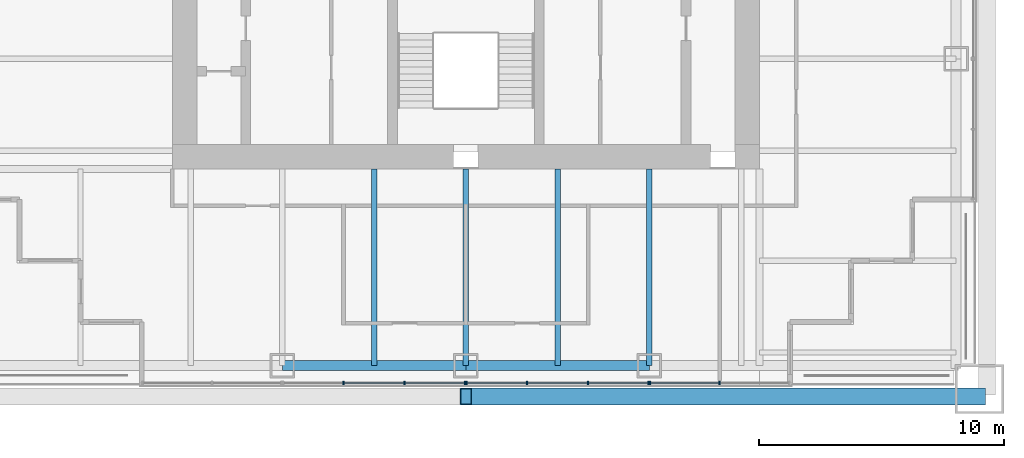
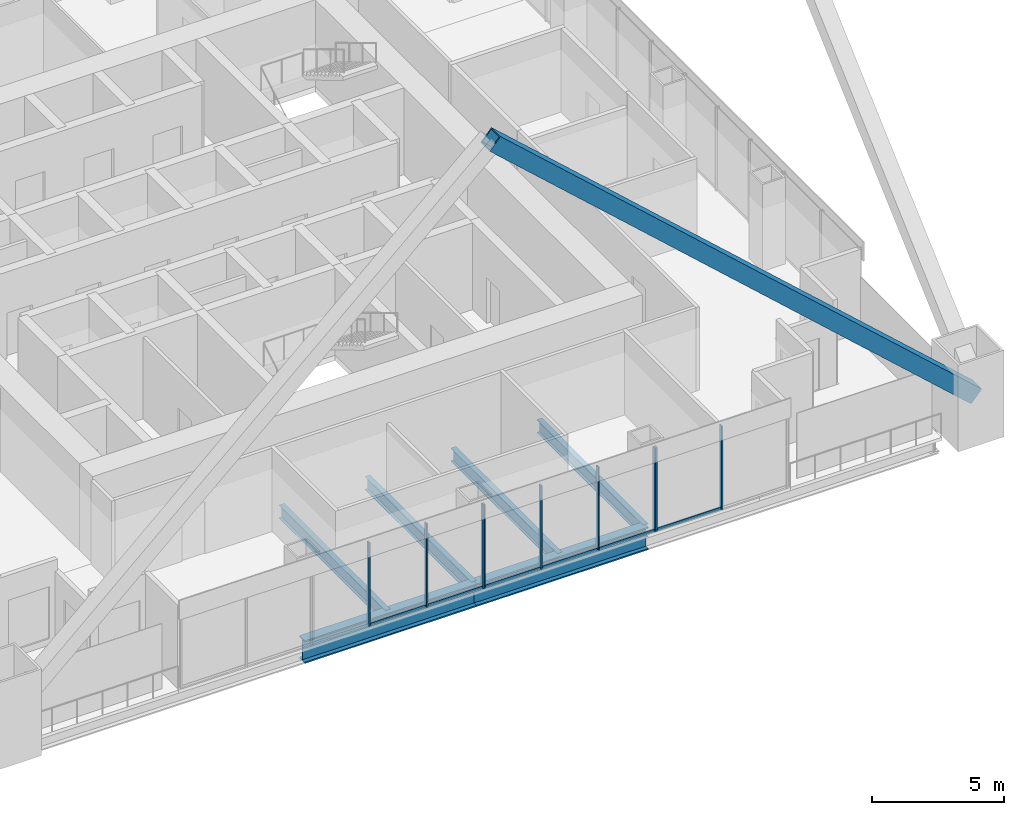
# One storey, part 4 of 18: 16 members, 6 beams, 3 elements without a shape of their own.
"""IFC4 building model written with IfcOpenShell, lengths in metres."""

import ifcopenshell
import ifcopenshell.guid

model = None  # the IFC model being written
_history = None  # IfcOwnerHistory: only IFC2X3 demands one
_inside = {}  # id of a spatial element -> (the spatial element, [elements in it])
_under = {}  # id of a project, library or spatial element -> (it, [spatial elements below it])
_declared = {}  # id of a project -> (the project, [libraries it declares])
_typed = {}  # id of a type object -> (the type object, [elements of that type])
_made_of = {}  # id of a material, layer set ... -> (it, [elements and type objects made of it])


def new_model(schema):
    """Start an empty IFC model of exactly this schema.

    Asked for "IFC4X3", IfcOpenShell would pick the latest addendum, in which some entities
    have other attributes; the version numbers below select the first issue.
    IFC2X3 requires an IfcOwnerHistory on every rooted entity: one is made here for all.
    """
    global model, _history
    if schema == "IFC4X3":
        model = ifcopenshell.file(schema_version=(4, 3, 0, 0))
    else:
        model = ifcopenshell.file(schema=schema)
    _inside.clear()
    _under.clear()
    _declared.clear()
    _typed.clear()
    _made_of.clear()
    _history = None
    if model.schema == "IFC2X3":
        org = make("IfcOrganization", Name="unknown")
        user = make(
            "IfcPersonAndOrganization",
            ThePerson=make("IfcPerson", FamilyName="unknown"),
            TheOrganization=org,
        )
        app = make(
            "IfcApplication",
            ApplicationDeveloper=org,
            Version="unknown",
            ApplicationFullName="unknown",
            ApplicationIdentifier="unknown",
        )
        _history = make(
            "IfcOwnerHistory",
            OwningUser=user,
            OwningApplication=app,
            ChangeAction="ADDED",
            CreationDate=0,
        )
    return model


def make(cls, **values):
    """One entity of the class cls with the attributes given. An attribute that is None is left unset."""
    return model.create_entity(
        cls, **{name: value for name, value in values.items() if value is not None}
    )


def rooted(cls, **values):
    """An entity with a GlobalId (a new one), such as an element, a storey or a relation."""
    return make(cls, GlobalId=ifcopenshell.guid.new(), OwnerHistory=_history, **values)


def si_unit(unit_type, name, prefix=None):
    """IfcSIUnit, for example si_unit("LENGTHUNIT", "METRE", prefix="MILLI")."""
    return make("IfcSIUnit", UnitType=unit_type, Prefix=prefix, Name=name)


def assignment(units):
    """IfcUnitAssignment: the units of a project."""
    return None if units is None else make("IfcUnitAssignment", Units=units)


def point(xyz):
    """IfcCartesianPoint."""
    return None if xyz is None else make("IfcCartesianPoint", Coordinates=xyz)


def direction(xyz):
    """IfcDirection."""
    return None if xyz is None else make("IfcDirection", DirectionRatios=xyz)


def frame(location, z_axis=None, x_axis=None):
    """IfcAxis2Placement3D, a coordinate frame: its origin and axes. An axis left out is left unset."""
    return make(
        "IfcAxis2Placement3D",
        Location=point(location),
        Axis=direction(z_axis),
        RefDirection=direction(x_axis),
    )


def frame_2d(location, x_axis=None):
    """IfcAxis2Placement2D, a coordinate frame in the plane: its origin and x axis."""
    return make(
        "IfcAxis2Placement2D", Location=point(location), RefDirection=direction(x_axis)
    )


def origin():
    """The frame at (0, 0, 0) with its axes left unset."""
    return frame((0.0, 0.0, 0.0))


def origin_2d():
    """The frame at (0, 0) in the plane with its x axis left unset."""
    return frame_2d((0.0, 0.0))


def place(relative_to, where):
    """IfcLocalPlacement: puts the frame where relative to a parent placement (None: the world)."""
    return make(
        "IfcLocalPlacement", PlacementRelTo=relative_to, RelativePlacement=where
    )


def context(
    kind, dimensions, precision=None, world=None, true_north=None, identifier=None
):
    """IfcGeometricRepresentationContext, for example the 3D "Model" context."""
    return make(
        "IfcGeometricRepresentationContext",
        ContextIdentifier=identifier,
        ContextType=kind,
        CoordinateSpaceDimension=dimensions,
        Precision=precision,
        WorldCoordinateSystem=world,
        TrueNorth=true_north,
    )


def subcontext(parent, identifier, kind, view, scale=None):
    """IfcGeometricRepresentationSubContext, for example "Body" below "Model"."""
    return make(
        "IfcGeometricRepresentationSubContext",
        ContextIdentifier=identifier,
        ContextType=kind,
        ParentContext=parent,
        TargetScale=scale,
        TargetView=view,
    )


def project(units=None, contexts=None):
    """IfcProject with its units and contexts."""
    return rooted(
        "IfcProject",
        Name="project",
        RepresentationContexts=contexts,
        UnitsInContext=assignment(units),
    )


def spatial(cls, under=None, at=None, **own):
    """A site, building, storey or space (cls), placed at a placement, below another one or the project."""
    s = rooted(cls, ObjectPlacement=at, **own)
    if under is not None:
        _under.setdefault(under.id(), (under, []))[1].append(s)
    return s


def profile(cls, at=None, kind="AREA", **sizes):
    """A parametric profile (cls). Its sizes go by their IFC names, for example OverallWidth=200.0."""
    return make(cls, ProfileType=kind, Position=at, **sizes)


def rectangle(**sizes):
    """IfcRectangleProfileDef."""
    return profile("IfcRectangleProfileDef", **sizes)


def hollow_rectangle(**sizes):
    """IfcRectangleHollowProfileDef."""
    return profile("IfcRectangleHollowProfileDef", **sizes)


def i_section(**sizes):
    """IfcIShapeProfileDef."""
    return profile("IfcIShapeProfileDef", **sizes)


def extrude(swept, where, along, depth):
    """IfcExtrudedAreaSolid: the profile swept, set in the frame where, extruded along a direction by depth."""
    return make(
        "IfcExtrudedAreaSolid",
        SweptArea=swept,
        Position=where,
        ExtrudedDirection=direction(along),
        Depth=depth,
    )


def shape(context_of_items, identifier, shape_type, items):
    """IfcShapeRepresentation: the items that make up one representation, for example the "Body"."""
    return make(
        "IfcShapeRepresentation",
        ContextOfItems=context_of_items,
        RepresentationIdentifier=identifier,
        RepresentationType=shape_type,
        Items=items,
    )


def material(Name=None, Category=None):
    """IfcMaterial."""
    return make("IfcMaterial", Name=Name, Category=Category)


def material_profile(
    of_material, cross_section, Name=None, Category=None, Priority=None
):
    """IfcMaterialProfile: a cross section and its material."""
    return make(
        "IfcMaterialProfile",
        Name=Name,
        Material=of_material,
        Profile=cross_section,
        Priority=Priority,
        Category=Category,
    )


def profile_set(profiles, Name=None, composite=None):
    """IfcMaterialProfileSet."""
    return make(
        "IfcMaterialProfileSet",
        Name=Name,
        MaterialProfiles=profiles,
        CompositeProfile=composite,
    )


def made_of(thing, what):
    """Note that an element or type object is made of a material, layer set ...; save() writes the relation."""
    if what is not None:
        _made_of.setdefault(what.id(), (what, []))[1].append(thing)
    return thing


def type_object(cls, material=None, **own):
    """A type object (cls), such as IfcWallType, which elements share."""
    return made_of(rooted(cls, **own), material)


def element(
    cls,
    number,
    at=None,
    inside=None,
    cuts=None,
    type_object=None,
    material=None,
    context=None,
    identifier="Body",
    shape_type=None,
    held_by="IfcProductDefinitionShape",
    body=None,
    shapes=None,
    **own,
):
    """One element of the class cls, such as IfcWall. Its Tag is "e" and its number.

    at: its placement. inside: the storey or other place that contains it. cuts: it is an
    opening in that element (IfcRelVoidsElement). A single representation is given by context,
    identifier, shape_type and body (its items); several are given by shapes. held_by: the class
    of the entity that holds the representations. save() writes the other relations.
    """
    e = rooted(cls, Tag="e%d" % number, ObjectPlacement=at, **own)
    if body is not None:
        shapes = [shape(context, identifier, shape_type, body)]
    if shapes is not None:
        e.Representation = make(held_by, Representations=shapes)
    if inside is not None:
        _inside.setdefault(inside.id(), (inside, []))[1].append(e)
    if cuts is not None:
        rooted(
            "IfcRelVoidsElement", RelatingBuildingElement=cuts, RelatedOpeningElement=e
        )
    if type_object is not None:
        _typed.setdefault(type_object.id(), (type_object, []))[1].append(e)
    return made_of(e, material)


def aggregate(whole, parts):
    """IfcRelAggregates: a whole, such as a stair, and the parts it consists of."""
    return rooted("IfcRelAggregates", RelatingObject=whole, RelatedObjects=parts)


def save(model, path):
    """Write the relations noted so far, then the file.

    IfcRelAggregates (storeys below a building ...), IfcRelContainedInSpatialStructure (elements
    in a storey), IfcRelDefinesByType, IfcRelAssociatesMaterial and IfcRelDeclares: one each for
    every whole, place, type object, material and project.
    """
    for whole, parts in _under.values():
        aggregate(whole, parts)
    for where, things in _inside.values():
        rooted(
            "IfcRelContainedInSpatialStructure",
            RelatedElements=things,
            RelatingStructure=where,
        )
    for kind, things in _typed.values():
        rooted("IfcRelDefinesByType", RelatedObjects=things, RelatingType=kind)
    for what, things in _made_of.values():
        rooted("IfcRelAssociatesMaterial", RelatedObjects=things, RelatingMaterial=what)
    for by, libraries in _declared.values():
        rooted("IfcRelDeclares", RelatingContext=by, RelatedDefinitions=libraries)
    model.write(path)


model = new_model("IFC4")

# Units and contexts
model_context = context("Model", 3, precision=1e-05, world=origin(), true_north=direction((0.0, 1.0)))
body_context = subcontext(model_context, "Body", "Model", "MODEL_VIEW")
ifc_project = project(units=[si_unit("LENGTHUNIT", "METRE"), si_unit("AREAUNIT", "SQUARE_METRE"), si_unit("VOLUMEUNIT", "CUBIC_METRE"), si_unit("PLANEANGLEUNIT", "RADIAN"), si_unit("MASSUNIT", "GRAM", prefix="KILO")], contexts=[model_context])

# Site, building, storey
site_placement = place(None, origin())
site = spatial("IfcSite", under=ifc_project, at=site_placement, CompositionType="ELEMENT")
building_placement = place(site_placement, origin())
building = spatial("IfcBuilding", under=site, at=building_placement, Name="Tarangal Relay Tower", CompositionType="ELEMENT")
storey_placement = place(building_placement, frame((0.0, 0.0, 295.89990234375)))
storey = spatial("IfcBuildingStorey", under=building, at=storey_placement, Name="L65", CompositionType="ELEMENT", Elevation=295.89990234375)

# Beams
ifc_material_1 = material(Name="Steel ASTM A992", Category="steel")
ifc_material_profile_1 = material_profile(ifc_material_1, i_section(OverallWidth=0.41162109375, OverallDepth=1.049072265625, WebThickness=0.033935546875, FlangeThickness=0.059814453125, at=origin_2d()), Name="W40X431")
ifc_profile_set_1 = profile_set([ifc_material_profile_1], Name="Steel ASTM A992")
beam_type_1 = type_object("IfcBeamType", Name="Edge girder W40X431", PredefinedType="SPANDREL", material=ifc_profile_set_1)
for number, where, z_axis, x_axis, name in (
    (1, (7.5, -20.0400390625, -0.67431640625), (-1.0, 0.0, 0.0), (0.0, -1.0, 0.0), "Edge girder EG1 S L65"),
    (2, (0.0, -20.0400390625, -0.67431640625), (-1.0, 0.0, 0.0), (0.0, -1.0, 0.0), "Edge girder EG1 S L65"),
):
    element("IfcBeam", number, at=place(storey_placement, frame(where, z_axis=z_axis, x_axis=x_axis)), inside=storey, type_object=beam_type_1, Name=name, PredefinedType="SPANDREL", context=body_context, shape_type="SweptSolid", body=[
        extrude(i_section(OverallWidth=0.41162109375, OverallDepth=1.049072265625, WebThickness=0.033935546875, FlangeThickness=0.059814453125, at=origin_2d()), origin(), (0.0, 0.0, 1.0), 7.5),
    ])
ifc_material_profile_2 = material_profile(ifc_material_1, i_section(OverallWidth=0.228271484375, OverallDepth=0.607177734375, WebThickness=0.01123046875, FlangeThickness=0.017333984375, at=origin_2d()), Name="W24X76")
ifc_profile_set_2 = profile_set([ifc_material_profile_2], Name="Steel ASTM A992")
beam_type_2 = type_object("IfcBeamType", Name="Floor beam W24X76", PredefinedType="BEAM", material=ifc_profile_set_2)
for number, where, z_axis, x_axis, name in (
    (3, (7.5, -12.0, -0.453369140625), (0.0, -1.0, 0.0), (1.0, 0.0, 0.0), "Floor beam RB5 S L65"),
    (4, (3.75, -12.0, -0.453369140625), (0.0, -1.0, 0.0), (1.0, 0.0, 0.0), "Floor beam RB5 S L65"),
    (5, (0.0, -12.0, -0.453369140625), (0.0, -1.0, 0.0), (1.0, 0.0, 0.0), "Floor beam RB5 S L65"),
    (6, (-3.75, -12.0, -0.453369140625), (0.0, -1.0, 0.0), (1.0, 0.0, 0.0), "Floor beam RB5 S L65"),
):
    element("IfcBeam", number, at=place(storey_placement, frame(where, z_axis=z_axis, x_axis=x_axis)), inside=storey, type_object=beam_type_2, Name=name, PredefinedType="BEAM", context=body_context, shape_type="SweptSolid", body=[
        extrude(i_section(OverallWidth=0.228271484375, OverallDepth=0.607177734375, WebThickness=0.01123046875, FlangeThickness=0.017333984375, at=origin_2d()), origin(), (0.0, 0.0, 1.0), 8.0400390625),
    ])

# Member
ifc_material_2 = material(Name="Steel ASTM A572 Grade 50", Category="steel")
ifc_material_profile_3 = material_profile(ifc_material_2, hollow_rectangle(XDim=0.699951171875, YDim=0.699951171875, WallThickness=0.052001953125, at=origin_2d()), Name="BOX700X700X52")
ifc_profile_set_3 = profile_set([ifc_material_profile_3], Name="Steel ASTM A572 Grade 50")
member_type_1 = type_object("IfcMemberType", Name="Mega brace BOX700X700X52", PredefinedType="BRACE", material=ifc_profile_set_3)
member_1_placement = place(storey_placement, frame((21.0, -21.300048828125, 2.0), z_axis=(-0.741535779124, 0.0, 0.670913323969), x_axis=(0.0, -1.0, 0.0)))
element("IfcMember", 7, at=member_1_placement, inside=storey, type_object=member_type_1, Name="Mega brace MB4 S face module 2", PredefinedType="BRACE", context=body_context, shape_type="SweptSolid", body=[
    extrude(hollow_rectangle(XDim=0.699951171875, YDim=0.699951171875, WallThickness=0.052001953125, at=origin_2d()), origin(), (0.0, 0.0, 1.0), 28.319580078125),
])

# Curtain wall, members
ifc_material_3 = material(Name="Unitised curtain wall, dark glass and black aluminium", Category="aluminium")
curtain_wall_type = type_object("IfcCurtainWallType", Name="Curtain wall CW-B", PredefinedType="USERDEFINED", material=ifc_material_3)
curtain_wall_1_placement = place(storey_placement, origin())
curtain_wall_1 = element("IfcCurtainWall", 8, at=curtain_wall_1_placement, inside=storey, type_object=curtain_wall_type, Name="Curtain wall CW-B S facade L65", ObjectType="UNITISED CURTAIN WALL", PredefinedType="USERDEFINED")
ifc_material_4 = material(Name="Black anodised aluminium mullion", Category="aluminium")
ifc_material_profile_4 = material_profile(ifc_material_4, rectangle(XDim=0.159912109375, YDim=0.06005859375, at=origin_2d()), Name="CW-BM 60X160")
ifc_profile_set_4 = profile_set([ifc_material_profile_4], Name="Black anodised aluminium mullion")
member_type_2 = type_object("IfcMemberType", Name="Mullion CW-B 60 x 160", PredefinedType="MULLION", material=ifc_profile_set_4)
member_2_placement = place(storey_placement, frame((10.375, -20.75, 0.0), z_axis=(0.0, 0.0, 1.0), x_axis=(0.0, -1.0, 0.0)))
member_2 = element("IfcMember", 9, at=member_2_placement, type_object=member_type_2, Name="CW-B mullion 2", PredefinedType="MULLION", context=body_context, shape_type="SweptSolid", body=[
    extrude(rectangle(XDim=0.159912109375, YDim=0.06005859375, at=origin_2d()), origin(), (0.0, 0.0, 1.0), 3.85009765625),
])
member_3_placement = place(storey_placement, frame((7.530029296875, -20.75, 0.0), z_axis=(0.0, 0.0, 1.0), x_axis=(0.0, -1.0, 0.0)))
member_3 = element("IfcMember", 10, at=member_3_placement, type_object=member_type_2, Name="CW-B mullion 3", PredefinedType="MULLION", context=body_context, shape_type="SweptSolid", body=[
    extrude(rectangle(XDim=0.159912109375, YDim=0.06005859375, at=origin_2d()), origin(), (0.0, 0.0, 1.0), 3.85009765625),
])

curtain_wall_2_placement = place(storey_placement, origin())
curtain_wall_2 = element("IfcCurtainWall", 11, at=curtain_wall_2_placement, inside=storey, type_object=curtain_wall_type, Name="Curtain wall CW-B S facade L65", ObjectType="UNITISED CURTAIN WALL", PredefinedType="USERDEFINED")
member_4_placement = place(storey_placement, frame((7.469970703125, -20.75, 0.0), z_axis=(0.0, 0.0, 1.0), x_axis=(0.0, -1.0, 0.0)))
member_4 = element("IfcMember", 12, at=member_4_placement, type_object=member_type_2, Name="CW-B mullion 1", PredefinedType="MULLION", context=body_context, shape_type="SweptSolid", body=[
    extrude(rectangle(XDim=0.159912109375, YDim=0.06005859375, at=origin_2d()), origin(), (0.0, 0.0, 1.0), 3.85009765625),
])
member_5_placement = place(storey_placement, frame((5.0, -20.75, 0.0), z_axis=(0.0, 0.0, 1.0), x_axis=(0.0, -1.0, 0.0)))
member_5 = element("IfcMember", 13, at=member_5_placement, type_object=member_type_2, Name="CW-B mullion 2", PredefinedType="MULLION", context=body_context, shape_type="SweptSolid", body=[
    extrude(rectangle(XDim=0.159912109375, YDim=0.06005859375, at=origin_2d()), origin(), (0.0, 0.0, 1.0), 3.85009765625),
])
member_6_placement = place(storey_placement, frame((2.5, -20.75, 0.0), z_axis=(0.0, 0.0, 1.0), x_axis=(0.0, -1.0, 0.0)))
member_6 = element("IfcMember", 14, at=member_6_placement, type_object=member_type_2, Name="CW-B mullion 3", PredefinedType="MULLION", context=body_context, shape_type="SweptSolid", body=[
    extrude(rectangle(XDim=0.159912109375, YDim=0.06005859375, at=origin_2d()), origin(), (0.0, 0.0, 1.0), 3.85009765625),
])
member_7_placement = place(storey_placement, frame((0.030029296875, -20.75, 0.0), z_axis=(0.0, 0.0, 1.0), x_axis=(0.0, -1.0, 0.0)))
member_7 = element("IfcMember", 15, at=member_7_placement, type_object=member_type_2, Name="CW-B mullion 4", PredefinedType="MULLION", context=body_context, shape_type="SweptSolid", body=[
    extrude(rectangle(XDim=0.159912109375, YDim=0.06005859375, at=origin_2d()), origin(), (0.0, 0.0, 1.0), 3.85009765625),
])

curtain_wall_3_placement = place(storey_placement, origin())
curtain_wall_3 = element("IfcCurtainWall", 16, at=curtain_wall_3_placement, inside=storey, type_object=curtain_wall_type, Name="Curtain wall CW-B S facade L65", ObjectType="UNITISED CURTAIN WALL", PredefinedType="USERDEFINED")
member_8_placement = place(storey_placement, frame((-0.030029296875, -20.75, 0.0), z_axis=(0.0, 0.0, 1.0), x_axis=(0.0, -1.0, 0.0)))
member_8 = element("IfcMember", 17, at=member_8_placement, type_object=member_type_2, Name="CW-B mullion 1", PredefinedType="MULLION", context=body_context, shape_type="SweptSolid", body=[
    extrude(rectangle(XDim=0.159912109375, YDim=0.06005859375, at=origin_2d()), origin(), (0.0, 0.0, 1.0), 3.85009765625),
])
member_9_placement = place(storey_placement, frame((-2.5, -20.75, 0.0), z_axis=(0.0, 0.0, 1.0), x_axis=(0.0, -1.0, 0.0)))
member_9 = element("IfcMember", 18, at=member_9_placement, type_object=member_type_2, Name="CW-B mullion 2", PredefinedType="MULLION", context=body_context, shape_type="SweptSolid", body=[
    extrude(rectangle(XDim=0.159912109375, YDim=0.06005859375, at=origin_2d()), origin(), (0.0, 0.0, 1.0), 3.85009765625),
])
member_10_placement = place(storey_placement, frame((-5.0, -20.75, 0.0), z_axis=(0.0, 0.0, 1.0), x_axis=(0.0, -1.0, 0.0)))
member_10 = element("IfcMember", 19, at=member_10_placement, type_object=member_type_2, Name="CW-B mullion 3", PredefinedType="MULLION", context=body_context, shape_type="SweptSolid", body=[
    extrude(rectangle(XDim=0.159912109375, YDim=0.06005859375, at=origin_2d()), origin(), (0.0, 0.0, 1.0), 3.85009765625),
])

# Member
ifc_material_5 = material(Name="Black anodised aluminium transom", Category="aluminium")
ifc_material_profile_5 = material_profile(ifc_material_5, rectangle(XDim=0.06005859375, YDim=0.1298828125, at=origin_2d()), Name="CW-BT 60X130")
ifc_profile_set_5 = profile_set([ifc_material_profile_5], Name="Black anodised aluminium transom")
member_type_3 = type_object("IfcMemberType", Name="Transom CW-B 60 x 130", PredefinedType="USERDEFINED", material=ifc_profile_set_5)
member_11_placement = place(storey_placement, frame((10.344970703125, -20.75, 0.030029296875), z_axis=(-1.0, 0.0, 0.0), x_axis=(0.0, -1.0, 0.0)))
member_11 = element("IfcMember", 20, at=member_11_placement, type_object=member_type_3, Name="CW-B transom 2.1", ObjectType="TRANSOM", PredefinedType="USERDEFINED", context=body_context, shape_type="SweptSolid", body=[
    extrude(rectangle(XDim=0.06005859375, YDim=0.1298828125, at=origin_2d()), origin(), (0.0, 0.0, 1.0), 2.784912109375),
])

aggregate(curtain_wall_1, [member_2, member_3, member_11])

member_12_placement = place(storey_placement, frame((7.43994140625, -20.75, 0.030029296875), z_axis=(-1.0, 0.0, 0.0), x_axis=(0.0, -1.0, 0.0)))
member_12 = element("IfcMember", 21, at=member_12_placement, type_object=member_type_3, Name="CW-B transom 1.1", ObjectType="TRANSOM", PredefinedType="USERDEFINED", context=body_context, shape_type="SweptSolid", body=[
    extrude(rectangle(XDim=0.06005859375, YDim=0.1298828125, at=origin_2d()), origin(), (0.0, 0.0, 1.0), 2.409912109375),
])

member_13_placement = place(storey_placement, frame((4.969970703125, -20.75, 0.030029296875), z_axis=(-1.0, 0.0, 0.0), x_axis=(0.0, -1.0, 0.0)))
member_13 = element("IfcMember", 22, at=member_13_placement, type_object=member_type_3, Name="CW-B transom 2.1", ObjectType="TRANSOM", PredefinedType="USERDEFINED", context=body_context, shape_type="SweptSolid", body=[
    extrude(rectangle(XDim=0.06005859375, YDim=0.1298828125, at=origin_2d()), origin(), (0.0, 0.0, 1.0), 2.43994140625),
])

member_14_placement = place(storey_placement, frame((2.469970703125, -20.75, 0.030029296875), z_axis=(-1.0, 0.0, 0.0), x_axis=(0.0, -1.0, 0.0)))
member_14 = element("IfcMember", 23, at=member_14_placement, type_object=member_type_3, Name="CW-B transom 3.1", ObjectType="TRANSOM", PredefinedType="USERDEFINED", context=body_context, shape_type="SweptSolid", body=[
    extrude(rectangle(XDim=0.06005859375, YDim=0.1298828125, at=origin_2d()), origin(), (0.0, 0.0, 1.0), 2.409912109375),
])

aggregate(curtain_wall_2, [member_4, member_5, member_6, member_7, member_12, member_13, member_14])

member_15_placement = place(storey_placement, frame((-0.06005859375, -20.75, 0.030029296875), z_axis=(-1.0, 0.0, 0.0), x_axis=(0.0, -1.0, 0.0)))
member_15 = element("IfcMember", 24, at=member_15_placement, type_object=member_type_3, Name="CW-B transom 1.1", ObjectType="TRANSOM", PredefinedType="USERDEFINED", context=body_context, shape_type="SweptSolid", body=[
    extrude(rectangle(XDim=0.06005859375, YDim=0.1298828125, at=origin_2d()), origin(), (0.0, 0.0, 1.0), 2.409912109375),
])

member_16_placement = place(storey_placement, frame((-2.530029296875, -20.75, 0.030029296875), z_axis=(-1.0, 0.0, 0.0), x_axis=(0.0, -1.0, 0.0)))
member_16 = element("IfcMember", 25, at=member_16_placement, type_object=member_type_3, Name="CW-B transom 2.1", ObjectType="TRANSOM", PredefinedType="USERDEFINED", context=body_context, shape_type="SweptSolid", body=[
    extrude(rectangle(XDim=0.06005859375, YDim=0.1298828125, at=origin_2d()), origin(), (0.0, 0.0, 1.0), 2.43994140625),
])

aggregate(curtain_wall_3, [member_8, member_9, member_10, member_15, member_16])

save(model, "model.ifc")
